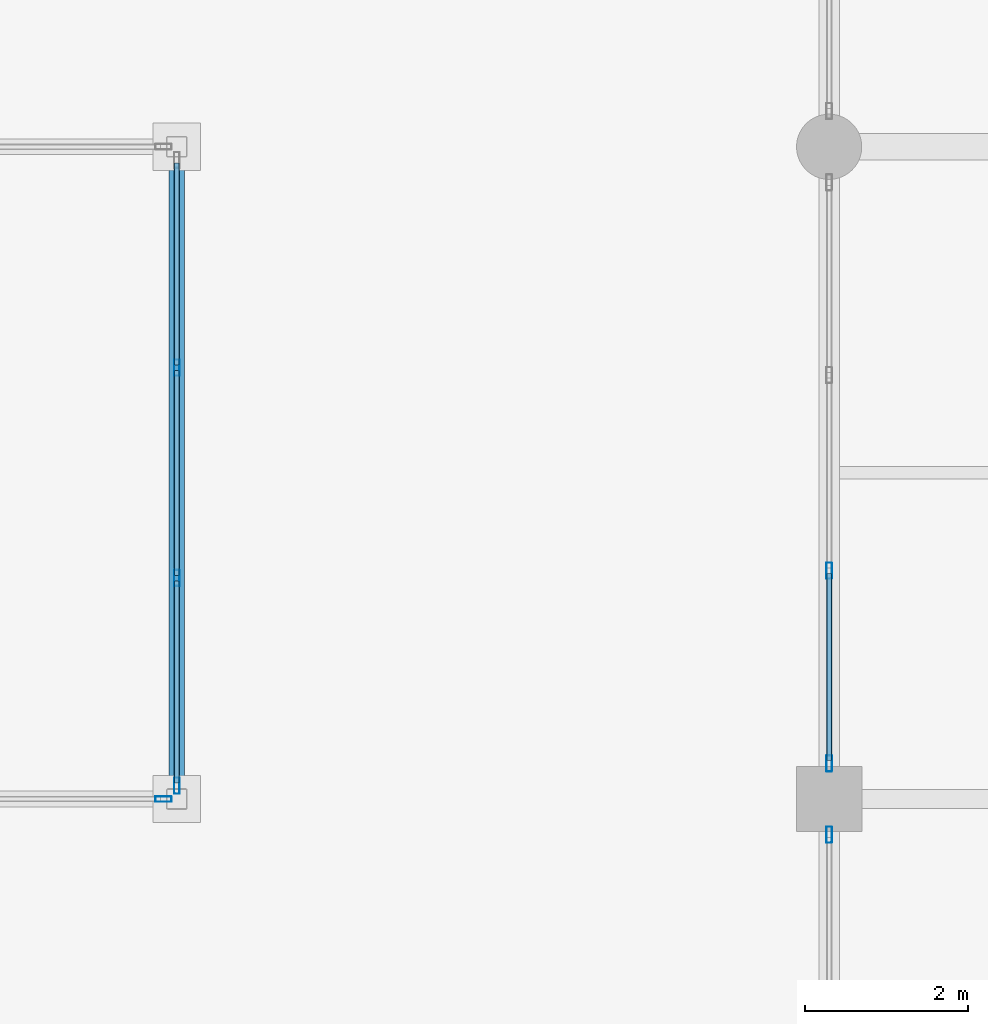
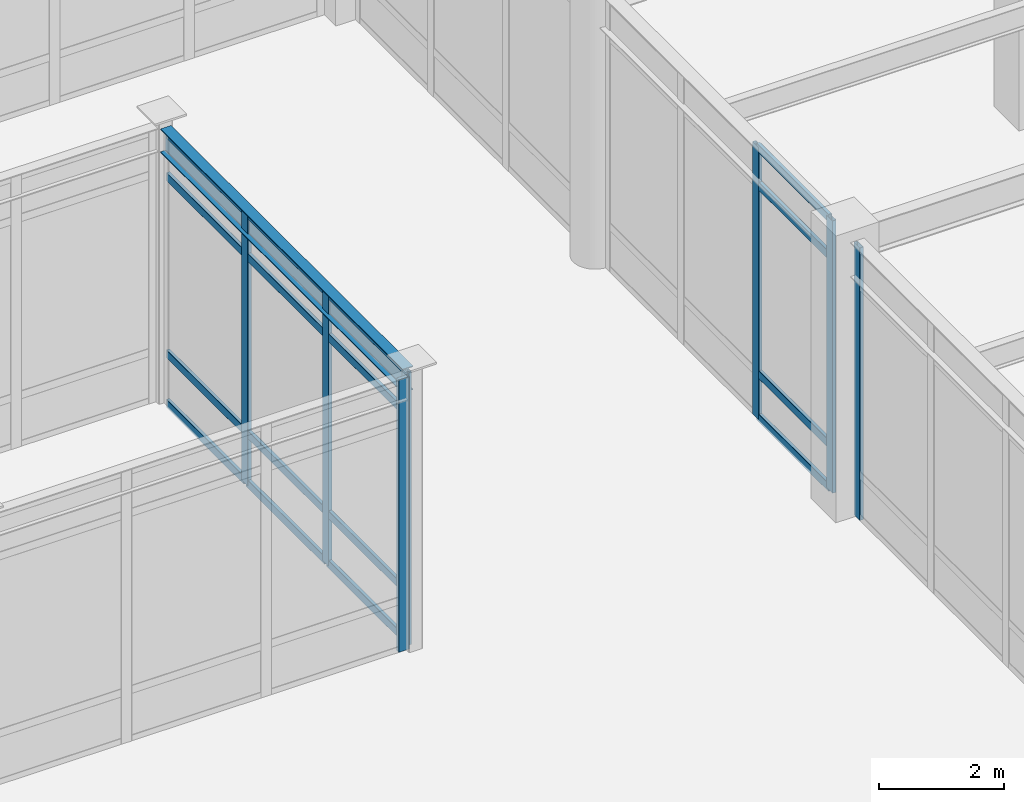
# One storey, part 50 of 128: 23 members, 1 beam, 4 elements without a shape of their own.
"""IFC4 building model written with IfcOpenShell, lengths in metres."""

from ifc_helpers import new_model, si_unit, direction, frame, origin, origin_2d, place, context, subcontext, project, spatial, hollow_rectangle, i_section, extrude, material, material_profile, profile_set, type_object, element, aggregate, save


model = new_model("IFC4")

# Units and contexts
model_context = context("Model", 3, precision=1e-05, world=origin(), true_north=direction((0.0, 1.0)))
body_context = subcontext(model_context, "Body", "Model", "MODEL_VIEW")
ifc_project = project(units=[si_unit("LENGTHUNIT", "METRE"), si_unit("AREAUNIT", "SQUARE_METRE"), si_unit("VOLUMEUNIT", "CUBIC_METRE"), si_unit("PLANEANGLEUNIT", "RADIAN"), si_unit("MASSUNIT", "GRAM", prefix="KILO")], contexts=[model_context])

# Site, building, storey
site_placement = place(None, origin())
site = spatial("IfcSite", under=ifc_project, at=site_placement, CompositionType="ELEMENT")
building_placement = place(site_placement, origin())
building = spatial("IfcBuilding", under=site, at=building_placement, Name="Solmirada Galleria", CompositionType="ELEMENT")
storey_placement = place(building_placement, origin())
storey = spatial("IfcBuildingStorey", under=building, at=storey_placement, Name="L00", CompositionType="ELEMENT", Elevation=0.0)

# Beam
ifc_material_1 = material(Name="Steel S355 / ASTM A992 Grade 50", Category="steel")
ifc_material_profile_1 = material_profile(ifc_material_1, i_section(OverallWidth=0.193115234375, OverallDepth=0.466064453125, WebThickness=0.011474609375, FlangeThickness=0.01904296875, FilletRadius=0.013916015625, at=origin_2d()), Name="W18X65")
ifc_profile_set_1 = profile_set([ifc_material_profile_1], Name="Steel S355 / ASTM A992 Grade 50")
beam_type = type_object("IfcBeamType", Name="BM-GIRD-W18C", PredefinedType="BEAM", material=ifc_profile_set_1)
beam_placement = place(storey_placement, frame((72.0, 56.126953125, 5.139892578125), z_axis=(0.0, 1.0, 0.0), x_axis=(-1.0, 0.0, 0.0)))
element("IfcBeam", 1, at=beam_placement, inside=storey, type_object=beam_type, Name="Arcade boutique transverse girder BW", PredefinedType="BEAM", context=body_context, shape_type="SweptSolid", body=[
    extrude(i_section(OverallWidth=0.193115234375, OverallDepth=0.466064453125, WebThickness=0.011474609375, FlangeThickness=0.01904296875, FilletRadius=0.013916015625, at=origin_2d()), origin(), (0.0, 0.0, 1.0), 7.74609375),
])

# Curtain wall, member
ifc_material_2 = material(Name="Impact-resistant low-E double glazing", Category="glass")
curtain_wall_type_1 = type_object("IfcCurtainWallType", Name="CW-FZ3-L00-B3-L072", PredefinedType="NOTDEFINED", material=ifc_material_2)
curtain_wall_1_placement = place(storey_placement, origin())
curtain_wall_1 = element("IfcCurtainWall", 2, at=curtain_wall_1_placement, inside=storey, type_object=curtain_wall_type_1, Name="Terrace and arcade storefront CW-L00-001", PredefinedType="NOTDEFINED")
ifc_material_3 = material(Name="Anodised aluminium framing", Category="aluminium")
ifc_material_profile_2 = material_profile(ifc_material_3, hollow_rectangle(XDim=0.070068359375, YDim=0.199951171875, WallThickness=0.004150390625, InnerFilletRadius=0.004150390625, OuterFilletRadius=0.00830078125, at=origin_2d()), Name="ALU-MULL-200X70")
ifc_profile_set_2 = profile_set([ifc_material_profile_2], Name="Anodised aluminium framing")
member_type_1 = type_object("IfcMemberType", Name="CW-MULL-200", PredefinedType="MULLION", material=ifc_profile_set_2)
member_1_placement = place(storey_placement, frame((80.0, 55.56298828125, 0.0), z_axis=(0.0, 0.0, 1.0), x_axis=(-1.0, 0.0, 0.0)))
member_1 = element("IfcMember", 3, at=member_1_placement, type_object=member_type_1, Name="CW01 mullion 4", PredefinedType="MULLION", context=body_context, shape_type="SweptSolid", body=[
    extrude(hollow_rectangle(XDim=0.070068359375, YDim=0.199951171875, WallThickness=0.004150390625, InnerFilletRadius=0.004150390625, OuterFilletRadius=0.00830078125, at=origin_2d()), origin(), (0.0, 0.0, 1.0), 5.320068359375),
])
aggregate(curtain_wall_1, [member_1])

# Curtain wall, members
curtain_wall_2_placement = place(storey_placement, origin())
curtain_wall_2 = element("IfcCurtainWall", 4, at=curtain_wall_2_placement, inside=storey, type_object=curtain_wall_type_1, Name="Terrace and arcade storefront CW-L00-002", PredefinedType="NOTDEFINED")
member_2_placement = place(storey_placement, frame((80.0, 56.43701171875, 0.0), z_axis=(0.0, 0.0, 1.0), x_axis=(-1.0, 0.0, 0.0)))
member_2 = element("IfcMember", 5, at=member_2_placement, type_object=member_type_1, Name="CW01 mullion 1", PredefinedType="MULLION", context=body_context, shape_type="SweptSolid", body=[
    extrude(hollow_rectangle(XDim=0.070068359375, YDim=0.199951171875, WallThickness=0.004150390625, InnerFilletRadius=0.004150390625, OuterFilletRadius=0.00830078125, at=origin_2d()), origin(), (0.0, 0.0, 1.0), 5.320068359375),
])
member_3_placement = place(storey_placement, frame((80.0, 58.80078125, 0.0), z_axis=(0.0, 0.0, 1.0), x_axis=(-1.0, 0.0, 0.0)))
member_3 = element("IfcMember", 6, at=member_3_placement, type_object=member_type_1, Name="CW01 mullion 2", PredefinedType="MULLION", context=body_context, shape_type="SweptSolid", body=[
    extrude(hollow_rectangle(XDim=0.070068359375, YDim=0.199951171875, WallThickness=0.004150390625, InnerFilletRadius=0.004150390625, OuterFilletRadius=0.00830078125, at=origin_2d()), origin(), (0.0, 0.0, 1.0), 5.320068359375),
])

curtain_wall_type_2 = type_object("IfcCurtainWallType", Name="CW-FZ5-L00-B3-L077", PredefinedType="NOTDEFINED", material=ifc_material_2)
curtain_wall_3_placement = place(storey_placement, origin())
curtain_wall_3 = element("IfcCurtainWall", 7, at=curtain_wall_3_placement, inside=storey, type_object=curtain_wall_type_2, Name="Terrace and arcade storefront CW-L00-031", PredefinedType="NOTDEFINED")
member_4_placement = place(storey_placement, frame((72.0, 61.290283203125, 0.0), z_axis=(0.0, 0.0, 1.0), x_axis=(1.0, 0.0, 0.0)))
member_4 = element("IfcMember", 8, at=member_4_placement, type_object=member_type_1, Name="CW08 mullion 2", PredefinedType="MULLION", context=body_context, shape_type="SweptSolid", body=[
    extrude(hollow_rectangle(XDim=0.070068359375, YDim=0.199951171875, WallThickness=0.004150390625, InnerFilletRadius=0.004150390625, OuterFilletRadius=0.00830078125, at=origin_2d()), origin(), (0.0, 0.0, 1.0), 5.320068359375),
])
member_5_placement = place(storey_placement, frame((72.0, 58.709716796875, 0.0), z_axis=(0.0, 0.0, 1.0), x_axis=(1.0, 0.0, 0.0)))
member_5 = element("IfcMember", 9, at=member_5_placement, type_object=member_type_1, Name="CW08 mullion 3", PredefinedType="MULLION", context=body_context, shape_type="SweptSolid", body=[
    extrude(hollow_rectangle(XDim=0.070068359375, YDim=0.199951171875, WallThickness=0.004150390625, InnerFilletRadius=0.004150390625, OuterFilletRadius=0.00830078125, at=origin_2d()), origin(), (0.0, 0.0, 1.0), 5.320068359375),
])
member_6_placement = place(storey_placement, frame((72.0, 56.1640625, 0.0), z_axis=(0.0, 0.0, 1.0), x_axis=(1.0, 0.0, 0.0)))
member_6 = element("IfcMember", 10, at=member_6_placement, type_object=member_type_1, Name="CW08 mullion 4", PredefinedType="MULLION", context=body_context, shape_type="SweptSolid", body=[
    extrude(hollow_rectangle(XDim=0.070068359375, YDim=0.199951171875, WallThickness=0.004150390625, InnerFilletRadius=0.004150390625, OuterFilletRadius=0.00830078125, at=origin_2d()), origin(), (0.0, 0.0, 1.0), 5.320068359375),
])

# Curtain wall, member
curtain_wall_4_placement = place(storey_placement, origin())
curtain_wall_4 = element("IfcCurtainWall", 11, at=curtain_wall_4_placement, inside=storey, type_object=curtain_wall_type_2, Name="Terrace and arcade storefront CW-L00-032", PredefinedType="NOTDEFINED")
member_7_placement = place(storey_placement, frame((71.8359375, 56.0, 0.0), z_axis=(0.0, 0.0, 1.0), x_axis=(0.0, -1.0, 0.0)))
member_7 = element("IfcMember", 12, at=member_7_placement, type_object=member_type_1, Name="CW08 mullion 1", PredefinedType="MULLION", context=body_context, shape_type="SweptSolid", body=[
    extrude(hollow_rectangle(XDim=0.070068359375, YDim=0.199951171875, WallThickness=0.004150390625, InnerFilletRadius=0.004150390625, OuterFilletRadius=0.00830078125, at=origin_2d()), origin(), (0.0, 0.0, 1.0), 5.320068359375),
])
aggregate(curtain_wall_4, [member_7])

# Member
ifc_material_profile_3 = material_profile(ifc_material_3, hollow_rectangle(XDim=0.06494140625, YDim=0.159912109375, WallThickness=0.00390625, InnerFilletRadius=0.00390625, OuterFilletRadius=0.007568359375, at=origin_2d()), Name="ALU-TRAN-160X65")
ifc_profile_set_3 = profile_set([ifc_material_profile_3], Name="Anodised aluminium framing")
member_type_2 = type_object("IfcMemberType", Name="CW-TRAN-160", PredefinedType="USERDEFINED", material=ifc_profile_set_3)
member_8_placement = place(storey_placement, frame((80.0, 56.471923828125, 0.032470703125), z_axis=(0.0, 1.0, 0.0), x_axis=(-1.0, 0.0, 0.0)))
member_8 = element("IfcMember", 13, at=member_8_placement, type_object=member_type_2, Name="CW01 transom 1.1", ObjectType="TRANSOM", PredefinedType="USERDEFINED", context=body_context, shape_type="SweptSolid", body=[
    extrude(hollow_rectangle(XDim=0.06494140625, YDim=0.159912109375, WallThickness=0.00390625, InnerFilletRadius=0.00390625, OuterFilletRadius=0.007568359375, at=origin_2d()), origin(), (0.0, 0.0, 1.0), 2.293701171875),
])

member_9_placement = place(storey_placement, frame((80.0, 56.471923828125, 0.8798828125), z_axis=(0.0, 1.0, 0.0), x_axis=(-1.0, 0.0, 0.0)))
member_9 = element("IfcMember", 14, at=member_9_placement, type_object=member_type_2, Name="CW01 transom 1.2", ObjectType="TRANSOM", PredefinedType="USERDEFINED", context=body_context, shape_type="SweptSolid", body=[
    extrude(hollow_rectangle(XDim=0.06494140625, YDim=0.159912109375, WallThickness=0.00390625, InnerFilletRadius=0.00390625, OuterFilletRadius=0.007568359375, at=origin_2d()), origin(), (0.0, 0.0, 1.0), 2.293701171875),
])

member_10_placement = place(storey_placement, frame((80.0, 56.471923828125, 4.56005859375), z_axis=(0.0, 1.0, 0.0), x_axis=(-1.0, 0.0, 0.0)))
member_10 = element("IfcMember", 15, at=member_10_placement, type_object=member_type_2, Name="CW01 transom 1.3", ObjectType="TRANSOM", PredefinedType="USERDEFINED", context=body_context, shape_type="SweptSolid", body=[
    extrude(hollow_rectangle(XDim=0.06494140625, YDim=0.159912109375, WallThickness=0.00390625, InnerFilletRadius=0.00390625, OuterFilletRadius=0.007568359375, at=origin_2d()), origin(), (0.0, 0.0, 1.0), 2.293701171875),
])

member_11_placement = place(storey_placement, frame((80.0, 56.471923828125, 5.28759765625), z_axis=(0.0, 1.0, 0.0), x_axis=(-1.0, 0.0, 0.0)))
member_11 = element("IfcMember", 16, at=member_11_placement, type_object=member_type_2, Name="CW01 transom 1.4", ObjectType="TRANSOM", PredefinedType="USERDEFINED", context=body_context, shape_type="SweptSolid", body=[
    extrude(hollow_rectangle(XDim=0.06494140625, YDim=0.159912109375, WallThickness=0.00390625, InnerFilletRadius=0.00390625, OuterFilletRadius=0.007568359375, at=origin_2d()), origin(), (0.0, 0.0, 1.0), 2.293701171875),
])

aggregate(curtain_wall_2, [member_2, member_3, member_8, member_9, member_10, member_11])

member_12_placement = place(storey_placement, frame((72.0, 63.801025390625, 0.032470703125), z_axis=(0.0, -1.0, 0.0), x_axis=(1.0, 0.0, 0.0)))
member_12 = element("IfcMember", 17, at=member_12_placement, type_object=member_type_2, Name="CW08 transom 1.1", ObjectType="TRANSOM", PredefinedType="USERDEFINED", context=body_context, shape_type="SweptSolid", body=[
    extrude(hollow_rectangle(XDim=0.06494140625, YDim=0.159912109375, WallThickness=0.00390625, InnerFilletRadius=0.00390625, OuterFilletRadius=0.007568359375, at=origin_2d()), origin(), (0.0, 0.0, 1.0), 2.4755859375),
])

member_13_placement = place(storey_placement, frame((72.0, 63.801025390625, 1.0), z_axis=(0.0, -1.0, 0.0), x_axis=(1.0, 0.0, 0.0)))
member_13 = element("IfcMember", 18, at=member_13_placement, type_object=member_type_2, Name="CW08 transom 1.2", ObjectType="TRANSOM", PredefinedType="USERDEFINED", context=body_context, shape_type="SweptSolid", body=[
    extrude(hollow_rectangle(XDim=0.06494140625, YDim=0.159912109375, WallThickness=0.00390625, InnerFilletRadius=0.00390625, OuterFilletRadius=0.007568359375, at=origin_2d()), origin(), (0.0, 0.0, 1.0), 2.4755859375),
])

member_14_placement = place(storey_placement, frame((72.0, 63.801025390625, 4.4599609375), z_axis=(0.0, -1.0, 0.0), x_axis=(1.0, 0.0, 0.0)))
member_14 = element("IfcMember", 19, at=member_14_placement, type_object=member_type_2, Name="CW08 transom 1.3", ObjectType="TRANSOM", PredefinedType="USERDEFINED", context=body_context, shape_type="SweptSolid", body=[
    extrude(hollow_rectangle(XDim=0.06494140625, YDim=0.159912109375, WallThickness=0.00390625, InnerFilletRadius=0.00390625, OuterFilletRadius=0.007568359375, at=origin_2d()), origin(), (0.0, 0.0, 1.0), 2.4755859375),
])

member_15_placement = place(storey_placement, frame((72.0, 63.801025390625, 5.28759765625), z_axis=(0.0, -1.0, 0.0), x_axis=(1.0, 0.0, 0.0)))
member_15 = element("IfcMember", 20, at=member_15_placement, type_object=member_type_2, Name="CW08 transom 1.4", ObjectType="TRANSOM", PredefinedType="USERDEFINED", context=body_context, shape_type="SweptSolid", body=[
    extrude(hollow_rectangle(XDim=0.06494140625, YDim=0.159912109375, WallThickness=0.00390625, InnerFilletRadius=0.00390625, OuterFilletRadius=0.007568359375, at=origin_2d()), origin(), (0.0, 0.0, 1.0), 2.4755859375),
])

member_16_placement = place(storey_placement, frame((72.0, 61.25537109375, 0.032470703125), z_axis=(0.0, -1.0, 0.0), x_axis=(1.0, 0.0, 0.0)))
member_16 = element("IfcMember", 21, at=member_16_placement, type_object=member_type_2, Name="CW08 transom 2.1", ObjectType="TRANSOM", PredefinedType="USERDEFINED", context=body_context, shape_type="SweptSolid", body=[
    extrude(hollow_rectangle(XDim=0.06494140625, YDim=0.159912109375, WallThickness=0.00390625, InnerFilletRadius=0.00390625, OuterFilletRadius=0.007568359375, at=origin_2d()), origin(), (0.0, 0.0, 1.0), 2.5107421875),
])

member_17_placement = place(storey_placement, frame((72.0, 61.25537109375, 1.0), z_axis=(0.0, -1.0, 0.0), x_axis=(1.0, 0.0, 0.0)))
member_17 = element("IfcMember", 22, at=member_17_placement, type_object=member_type_2, Name="CW08 transom 2.2", ObjectType="TRANSOM", PredefinedType="USERDEFINED", context=body_context, shape_type="SweptSolid", body=[
    extrude(hollow_rectangle(XDim=0.06494140625, YDim=0.159912109375, WallThickness=0.00390625, InnerFilletRadius=0.00390625, OuterFilletRadius=0.007568359375, at=origin_2d()), origin(), (0.0, 0.0, 1.0), 2.5107421875),
])

member_18_placement = place(storey_placement, frame((72.0, 61.25537109375, 4.4599609375), z_axis=(0.0, -1.0, 0.0), x_axis=(1.0, 0.0, 0.0)))
member_18 = element("IfcMember", 23, at=member_18_placement, type_object=member_type_2, Name="CW08 transom 2.3", ObjectType="TRANSOM", PredefinedType="USERDEFINED", context=body_context, shape_type="SweptSolid", body=[
    extrude(hollow_rectangle(XDim=0.06494140625, YDim=0.159912109375, WallThickness=0.00390625, InnerFilletRadius=0.00390625, OuterFilletRadius=0.007568359375, at=origin_2d()), origin(), (0.0, 0.0, 1.0), 2.5107421875),
])

member_19_placement = place(storey_placement, frame((72.0, 61.25537109375, 5.28759765625), z_axis=(0.0, -1.0, 0.0), x_axis=(1.0, 0.0, 0.0)))
member_19 = element("IfcMember", 24, at=member_19_placement, type_object=member_type_2, Name="CW08 transom 2.4", ObjectType="TRANSOM", PredefinedType="USERDEFINED", context=body_context, shape_type="SweptSolid", body=[
    extrude(hollow_rectangle(XDim=0.06494140625, YDim=0.159912109375, WallThickness=0.00390625, InnerFilletRadius=0.00390625, OuterFilletRadius=0.007568359375, at=origin_2d()), origin(), (0.0, 0.0, 1.0), 2.5107421875),
])

member_20_placement = place(storey_placement, frame((72.0, 58.674560546875, 0.032470703125), z_axis=(0.0, -1.0, 0.0), x_axis=(1.0, 0.0, 0.0)))
member_20 = element("IfcMember", 25, at=member_20_placement, type_object=member_type_2, Name="CW08 transom 3.1", ObjectType="TRANSOM", PredefinedType="USERDEFINED", context=body_context, shape_type="SweptSolid", body=[
    extrude(hollow_rectangle(XDim=0.06494140625, YDim=0.159912109375, WallThickness=0.00390625, InnerFilletRadius=0.00390625, OuterFilletRadius=0.007568359375, at=origin_2d()), origin(), (0.0, 0.0, 1.0), 2.4755859375),
])

member_21_placement = place(storey_placement, frame((72.0, 58.674560546875, 1.0), z_axis=(0.0, -1.0, 0.0), x_axis=(1.0, 0.0, 0.0)))
member_21 = element("IfcMember", 26, at=member_21_placement, type_object=member_type_2, Name="CW08 transom 3.2", ObjectType="TRANSOM", PredefinedType="USERDEFINED", context=body_context, shape_type="SweptSolid", body=[
    extrude(hollow_rectangle(XDim=0.06494140625, YDim=0.159912109375, WallThickness=0.00390625, InnerFilletRadius=0.00390625, OuterFilletRadius=0.007568359375, at=origin_2d()), origin(), (0.0, 0.0, 1.0), 2.4755859375),
])

member_22_placement = place(storey_placement, frame((72.0, 58.674560546875, 4.4599609375), z_axis=(0.0, -1.0, 0.0), x_axis=(1.0, 0.0, 0.0)))
member_22 = element("IfcMember", 27, at=member_22_placement, type_object=member_type_2, Name="CW08 transom 3.3", ObjectType="TRANSOM", PredefinedType="USERDEFINED", context=body_context, shape_type="SweptSolid", body=[
    extrude(hollow_rectangle(XDim=0.06494140625, YDim=0.159912109375, WallThickness=0.00390625, InnerFilletRadius=0.00390625, OuterFilletRadius=0.007568359375, at=origin_2d()), origin(), (0.0, 0.0, 1.0), 2.4755859375),
])

member_23_placement = place(storey_placement, frame((72.0, 58.674560546875, 5.28759765625), z_axis=(0.0, -1.0, 0.0), x_axis=(1.0, 0.0, 0.0)))
member_23 = element("IfcMember", 28, at=member_23_placement, type_object=member_type_2, Name="CW08 transom 3.4", ObjectType="TRANSOM", PredefinedType="USERDEFINED", context=body_context, shape_type="SweptSolid", body=[
    extrude(hollow_rectangle(XDim=0.06494140625, YDim=0.159912109375, WallThickness=0.00390625, InnerFilletRadius=0.00390625, OuterFilletRadius=0.007568359375, at=origin_2d()), origin(), (0.0, 0.0, 1.0), 2.4755859375),
])

aggregate(curtain_wall_3, [member_4, member_5, member_6, member_12, member_13, member_14, member_15, member_16, member_17, member_18, member_19, member_20, member_21, member_22, member_23])

save(model, "model.ifc")
